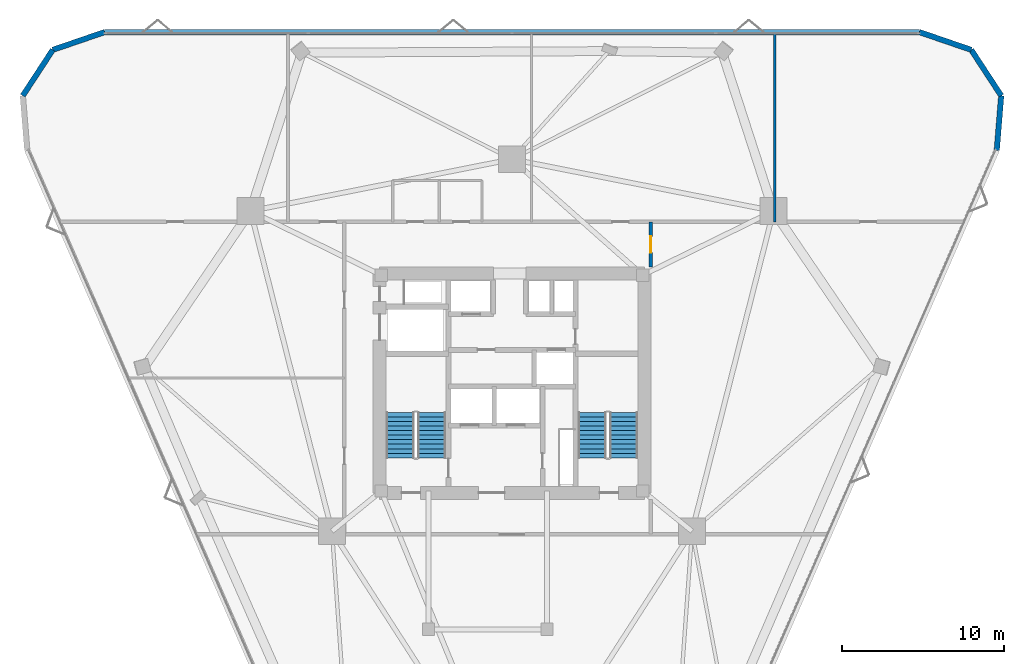
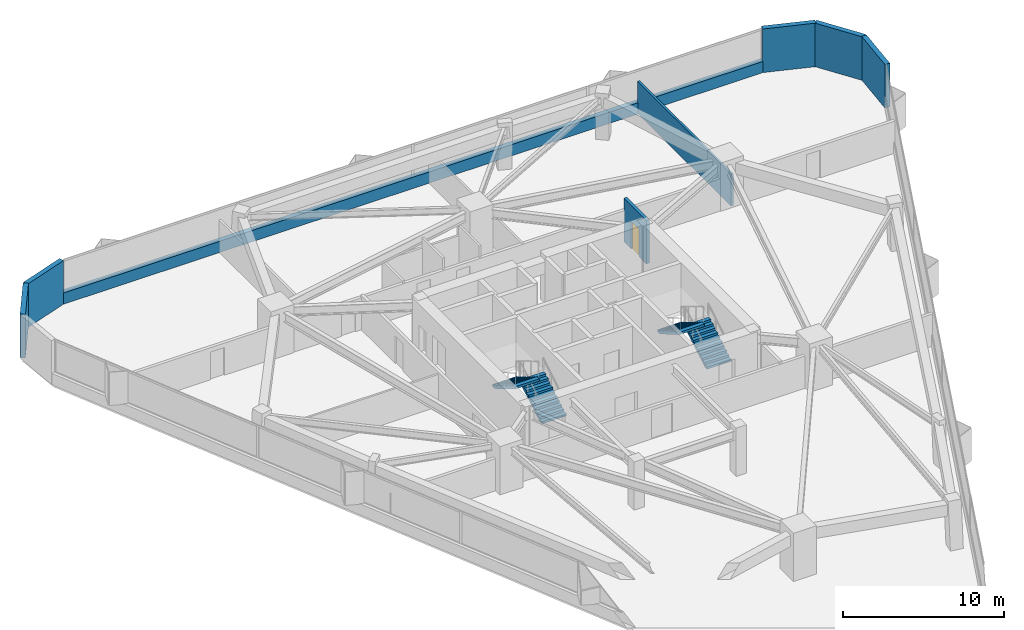
# One storey, part 13 of 14: 8 walls, 4 stair flights, 1 door, 1 opening, 2 elements without a shape of their own.
"""IFC4 building model written with IfcOpenShell, lengths in metres."""

from ifc_helpers import new_model, si_unit, direction, frame, frame_2d, origin, place, context, subcontext, project, spatial, polyline, rectangle, outline, extrude, material, layer, layer_set, type_object, element, fill, aggregate, save


model = new_model("IFC4")

# Units and contexts
model_context = context("Model", 3, precision=1e-05, world=origin(), true_north=direction((0.0, 1.0)))
body_context = subcontext(model_context, "Body", "Model", "MODEL_VIEW")
ifc_project = project(units=[si_unit("LENGTHUNIT", "METRE"), si_unit("AREAUNIT", "SQUARE_METRE"), si_unit("VOLUMEUNIT", "CUBIC_METRE"), si_unit("PLANEANGLEUNIT", "RADIAN"), si_unit("MASSUNIT", "GRAM", prefix="KILO")], contexts=[model_context])

# Site, building, storey
site_placement = place(None, origin())
site = spatial("IfcSite", under=ifc_project, at=site_placement, CompositionType="ELEMENT")
building_placement = place(site_placement, origin())
building = spatial("IfcBuilding", under=site, at=building_placement, Name="Talyreon Biosciences Tower", CompositionType="ELEMENT")
storey_placement = place(building_placement, frame((0.0, 0.0, 115.14990234375)))
storey = spatial("IfcBuildingStorey", under=building, at=storey_placement, Name="L30", CompositionType="ELEMENT", Elevation=115.14990234375)

# Wall, opening, door
ifc_material_1 = material(Name="Gypsum fireboard acoustic stud", Category="gypsum")
ifc_layer_1 = layer(ifc_material_1, 0.219970703125)
ifc_layer_set_1 = layer_set([ifc_layer_1], Name="Gypsum fireboard acoustic stud")
wall_type_1 = type_object("IfcWallType", Name="CorridorRatedPartition_220", PredefinedType="PARTITIONING", material=ifc_layer_set_1)
wall_1_placement = place(storey_placement, frame((74.550048828125, 75.14990234375, 0.0), z_axis=(0.0, 0.0, 1.0), x_axis=(0.0, 1.0, 0.0)))
wall_1 = element("IfcWall", 1, at=wall_1_placement, inside=storey, type_object=wall_type_1, Name="L30 Interior Wall IW-L30-ECAP-N", PredefinedType="PARTITIONING", context=body_context, shape_type="SweptSolid", body=[
    extrude(rectangle(XDim=2.780029296875, YDim=0.219970703125, at=frame_2d((1.39013671875, 0.0))), origin(), (0.0, 0.0, 1.0), 3.300048828125),
])
opening_placement = place(wall_1_placement, frame((0.889892578125, 0.0, 0.0)))
opening = element("IfcOpeningElement", 2, at=opening_placement, cuts=wall_1, Name="Opening DR-L30-E1A", PredefinedType="OPENING", context=body_context, shape_type="SweptSolid", body=[
    extrude(rectangle(XDim=1.0, YDim=2.10009765625, at=frame_2d((0.5, 1.050048828125))), frame((0.0, 0.119873046875, 0.0), z_axis=(0.0, -1.0, 0.0), x_axis=(1.0, 0.0, 0.0)), (0.0, 0.0, 1.0), 0.239990234375),
])
ifc_material_2 = material(Name="Acoustic oak veneer office door", Category="wood")
door_type = type_object("IfcDoorType", Name="WriteupOfficeDoor_1000x2100", OperationType="NOTDEFINED", PredefinedType="DOOR", material=ifc_material_2)
door_placement = place(opening_placement, origin())
door = element("IfcDoor", 3, at=door_placement, inside=storey, type_object=door_type, Name="L30 Interior Door DR-L30-E1A", OperationType="SINGLE_SWING_LEFT", OverallHeight=2.10009765625, OverallWidth=1.0, PredefinedType="DOOR", context=body_context, shape_type="SweptSolid", body=[
    extrude(rectangle(XDim=1.0, YDim=2.10009765625, at=frame_2d((0.5, 1.050048828125))), frame((0.0, 0.02490234375, 0.0), z_axis=(0.0, -1.0, 0.0), x_axis=(1.0, 0.0, 0.0)), (0.0, 0.0, 1.0), 0.050048828125),
])
fill(opening, door)

# Walls
ifc_material_3 = material(Name="Gypsum acoustic stud partition", Category="gypsum")
ifc_layer_2 = layer(ifc_material_3, 0.159912109375)
ifc_layer_set_2 = layer_set([ifc_layer_2], Name="Gypsum acoustic stud partition")
wall_type_2 = type_object("IfcWallType", Name="LabSeparationPartition_160", PredefinedType="PARTITIONING", material=ifc_layer_set_2)
wall_2_placement = place(storey_placement, frame((82.19189453125, 77.929931640625, 0.0), z_axis=(0.0, 0.0, 1.0), x_axis=(0.0, 1.0, 0.0)))
element("IfcWall", 4, at=wall_2_placement, inside=storey, type_object=wall_type_2, Name="L30 Interior Wall IW-L30-NDIV3", PredefinedType="PARTITIONING", context=body_context, shape_type="SweptSolid", body=[
    extrude(rectangle(XDim=11.60498046875, YDim=0.159912109375, at=frame_2d((5.802490234375, 0.0))), origin(), (0.0, 0.0, 1.0), 2.43017578125),
])
ifc_material_4 = material(Name="Precast concrete C45/55", Category="concrete")
ifc_layer_3 = layer(ifc_material_4, 0.340087890625)
ifc_layer_set_3 = layer_set([ifc_layer_3], Name="Precast concrete C45/55")
wall_type_3 = type_object("IfcWallType", Name="PrecastConcreteSpandrelWall_340", PredefinedType="STANDARD", material=ifc_layer_set_3)
wall_3_placement = place(storey_placement, frame((35.8720703125, 85.70166015625, 0.0), z_axis=(0.0, 0.0, 1.0), x_axis=(0.547567076679, 0.836761791992, 0.0)))
element("IfcWall", 5, at=wall_3_placement, inside=storey, type_object=wall_type_3, Name="L30 Rounded-Corner Concrete Pier 02", PredefinedType="STANDARD", context=body_context, shape_type="SweptSolid", body=[
    extrude(rectangle(XDim=3.374267578125, YDim=0.340087890625, at=frame_2d((1.68701171875, 0.0))), origin(), (0.0, 0.0, 1.0), 3.300048828125),
])
wall_4_placement = place(storey_placement, frame((37.7197265625, 88.525146484375, 0.0), z_axis=(0.0, 0.0, 1.0), x_axis=(0.945912963092, 0.324420508376, 0.0)))
element("IfcWall", 6, at=wall_4_placement, inside=storey, type_object=wall_type_3, Name="L30 Rounded-Corner Concrete Pier 03", PredefinedType="STANDARD", context=body_context, shape_type="SweptSolid", body=[
    extrude(rectangle(XDim=3.37451171875, YDim=0.340087890625, at=frame_2d((1.687255859375, 0.0))), origin(), (0.0, 0.0, 1.0), 3.300048828125),
])
wall_5_placement = place(storey_placement, frame((40.91162109375, 89.619873046875, 0.0), z_axis=(0.0, 0.0, 1.0), x_axis=(1.0, 0.0, 0.0)))
element("IfcWall", 7, at=wall_5_placement, inside=storey, type_object=wall_type_3, Name="L30 Expressed Concrete Sill Wall 04", PredefinedType="STANDARD", context=body_context, shape_type="SweptSolid", body=[
    extrude(rectangle(XDim=50.1767578125, YDim=0.340087890625, at=frame_2d((25.08837890625, 0.0))), origin(), (0.0, 0.0, 1.0), 0.85009765625),
])
wall_6_placement = place(storey_placement, frame((91.08837890625, 89.619873046875, 0.0), z_axis=(0.0, 0.0, 1.0), x_axis=(0.945912963092, -0.324420508376, 0.0)))
element("IfcWall", 8, at=wall_6_placement, inside=storey, type_object=wall_type_3, Name="L30 Rounded-Corner Concrete Pier 05", PredefinedType="STANDARD", context=body_context, shape_type="SweptSolid", body=[
    extrude(rectangle(XDim=3.37451171875, YDim=0.340087890625, at=frame_2d((1.687255859375, 0.0))), origin(), (0.0, 0.0, 1.0), 3.300048828125),
])
for number, where, z_axis, x_axis, name in (
    (9, (94.2802734375, 88.525146484375, 0.0), (0.0, 0.0, 1.0), (0.547567076679, -0.836761791992, 0.0), "L30 Rounded-Corner Concrete Pier 06"),
    (10, (96.1279296875, 85.70166015625, 0.0), (0.0, 0.0, 1.0), (-0.081254928028, -0.996693351373, 0.0), "L30 Rounded-Corner Concrete Pier 07"),
):
    element("IfcWall", number, at=place(storey_placement, frame(where, z_axis=z_axis, x_axis=x_axis)), inside=storey, type_object=wall_type_3, Name=name, PredefinedType="STANDARD", context=body_context, shape_type="SweptSolid", body=[
        extrude(rectangle(XDim=3.374267578125, YDim=0.340087890625, at=frame_2d((1.68701171875, 0.0))), origin(), (0.0, 0.0, 1.0), 3.300048828125),
    ])

# Stair, stair flights
ifc_material_5 = material(Name="Concrete C40/50", Category="concrete")
stair_type = type_object("IfcStairType", Name="DoglegEscapeStair_3650", PredefinedType="HALF_TURN_STAIR", material=ifc_material_5)
stair_1_placement = place(storey_placement, origin())
stair_1 = element("IfcStair", 11, at=stair_1_placement, inside=storey, type_object=stair_type, Name="L30 Core Escape Stair 1", PredefinedType="HALF_TURN_STAIR")
stair_flight_type = type_object("IfcStairFlightType", Name="PrecastStairFlight_3650", PredefinedType="STRAIGHT", material=ifc_material_5)
stair_flight_1_placement = place(storey_placement, frame((61.06005859375, 63.39990234375, 0.0), z_axis=(0.0, 0.0, 1.0), x_axis=(0.0, 1.0, 0.0)))
stair_flight_1 = element("IfcStairFlight", 12, at=stair_flight_1_placement, type_object=stair_flight_type, Name="ST-1 flight 1", NumberOfRisers=11, NumberOfTreads=10, PredefinedType="STRAIGHT", RiserHeight=0.165909091, TreadLength=0.28, context=body_context, shape_type="SweptSolid", body=[
    extrude(outline(polyline([(0.0, 0.0), (0.0, 0.166015625), (0.280029296875, 0.166015625), (0.280029296875, 0.331787109375), (0.56005859375, 0.331787109375), (0.56005859375, 0.497802734375), (0.840087890625, 0.497802734375), (0.840087890625, 0.66357421875), (1.1201171875, 0.66357421875), (1.1201171875, 0.82958984375), (1.39990234375, 0.82958984375), (1.39990234375, 0.995361328125), (1.679931640625, 0.995361328125), (1.679931640625, 1.161376953125), (1.9599609375, 1.161376953125), (1.9599609375, 1.327392578125), (2.239990234375, 1.327392578125), (2.239990234375, 1.4931640625), (2.52001953125, 1.4931640625), (2.52001953125, 1.6591796875), (2.800048828125, 1.6591796875), (2.800048828125, 1.824951171875), (2.800048828125, 1.48486328125), (0.2939453125, 0.0), (0.0, 0.0)])), frame((0.0, 0.8701171875, 0.0), z_axis=(0.0, -1.0, 0.0), x_axis=(1.0, 0.0, 0.0)), (0.0, 0.0, 1.0), 1.739990234375),
])
stair_flight_2_placement = place(storey_placement, frame((59.1201171875, 66.199951171875, 1.8251953125), z_axis=(0.0, 0.0, 1.0), x_axis=(0.0, -1.0, 0.0)))
stair_flight_2 = element("IfcStairFlight", 13, at=stair_flight_2_placement, type_object=stair_flight_type, Name="ST-1 flight 2", NumberOfRisers=11, NumberOfTreads=10, PredefinedType="STRAIGHT", RiserHeight=0.165909091, TreadLength=0.28, context=body_context, shape_type="SweptSolid", body=[
    extrude(outline(polyline([(0.0, 0.0), (0.0, 0.166015625), (0.280029296875, 0.166015625), (0.280029296875, 0.331787109375), (0.56005859375, 0.331787109375), (0.56005859375, 0.497802734375), (0.840087890625, 0.497802734375), (0.840087890625, 0.66357421875), (1.1201171875, 0.66357421875), (1.1201171875, 0.82958984375), (1.39990234375, 0.82958984375), (1.39990234375, 0.995361328125), (1.679931640625, 0.995361328125), (1.679931640625, 1.161376953125), (1.9599609375, 1.161376953125), (1.9599609375, 1.327392578125), (2.239990234375, 1.327392578125), (2.239990234375, 1.4931640625), (2.52001953125, 1.4931640625), (2.52001953125, 1.6591796875), (2.800048828125, 1.6591796875), (2.800048828125, 1.824951171875), (2.800048828125, 1.48486328125), (0.2939453125, 0.0), (0.0, 0.0)])), frame((0.0, 0.8701171875, 0.0), z_axis=(0.0, -1.0, 0.0), x_axis=(1.0, 0.0, 0.0)), (0.0, 0.0, 1.0), 1.739990234375),
])
aggregate(stair_1, [stair_flight_1, stair_flight_2])

stair_2_placement = place(storey_placement, origin())
stair_2 = element("IfcStair", 14, at=stair_2_placement, inside=storey, type_object=stair_type, Name="L30 Core Escape Stair 2", PredefinedType="HALF_TURN_STAIR")
stair_flight_3_placement = place(storey_placement, frame((72.8798828125, 63.39990234375, 0.0), z_axis=(0.0, 0.0, 1.0), x_axis=(0.0, 1.0, 0.0)))
stair_flight_3 = element("IfcStairFlight", 15, at=stair_flight_3_placement, type_object=stair_flight_type, Name="ST-2 flight 1", NumberOfRisers=11, NumberOfTreads=10, PredefinedType="STRAIGHT", RiserHeight=0.165909091, TreadLength=0.28, context=body_context, shape_type="SweptSolid", body=[
    extrude(outline(polyline([(0.0, 0.0), (0.0, 0.166015625), (0.280029296875, 0.166015625), (0.280029296875, 0.331787109375), (0.56005859375, 0.331787109375), (0.56005859375, 0.497802734375), (0.840087890625, 0.497802734375), (0.840087890625, 0.66357421875), (1.1201171875, 0.66357421875), (1.1201171875, 0.82958984375), (1.39990234375, 0.82958984375), (1.39990234375, 0.995361328125), (1.679931640625, 0.995361328125), (1.679931640625, 1.161376953125), (1.9599609375, 1.161376953125), (1.9599609375, 1.327392578125), (2.239990234375, 1.327392578125), (2.239990234375, 1.4931640625), (2.52001953125, 1.4931640625), (2.52001953125, 1.6591796875), (2.800048828125, 1.6591796875), (2.800048828125, 1.824951171875), (2.800048828125, 1.48486328125), (0.2939453125, 0.0), (0.0, 0.0)])), frame((0.0, 0.8701171875, 0.0), z_axis=(0.0, -1.0, 0.0), x_axis=(1.0, 0.0, 0.0)), (0.0, 0.0, 1.0), 1.739990234375),
])
stair_flight_4_placement = place(storey_placement, frame((70.93994140625, 66.199951171875, 1.8251953125), z_axis=(0.0, 0.0, 1.0), x_axis=(0.0, -1.0, 0.0)))
stair_flight_4 = element("IfcStairFlight", 16, at=stair_flight_4_placement, type_object=stair_flight_type, Name="ST-2 flight 2", NumberOfRisers=11, NumberOfTreads=10, PredefinedType="STRAIGHT", RiserHeight=0.165909091, TreadLength=0.28, context=body_context, shape_type="SweptSolid", body=[
    extrude(outline(polyline([(0.0, 0.0), (0.0, 0.166015625), (0.280029296875, 0.166015625), (0.280029296875, 0.331787109375), (0.56005859375, 0.331787109375), (0.56005859375, 0.497802734375), (0.840087890625, 0.497802734375), (0.840087890625, 0.66357421875), (1.1201171875, 0.66357421875), (1.1201171875, 0.82958984375), (1.39990234375, 0.82958984375), (1.39990234375, 0.995361328125), (1.679931640625, 0.995361328125), (1.679931640625, 1.161376953125), (1.9599609375, 1.161376953125), (1.9599609375, 1.327392578125), (2.239990234375, 1.327392578125), (2.239990234375, 1.4931640625), (2.52001953125, 1.4931640625), (2.52001953125, 1.6591796875), (2.800048828125, 1.6591796875), (2.800048828125, 1.824951171875), (2.800048828125, 1.48486328125), (0.2939453125, 0.0), (0.0, 0.0)])), frame((0.0, 0.8701171875, 0.0), z_axis=(0.0, -1.0, 0.0), x_axis=(1.0, 0.0, 0.0)), (0.0, 0.0, 1.0), 1.739990234375),
])
aggregate(stair_2, [stair_flight_3, stair_flight_4])

save(model, "model.ifc")
